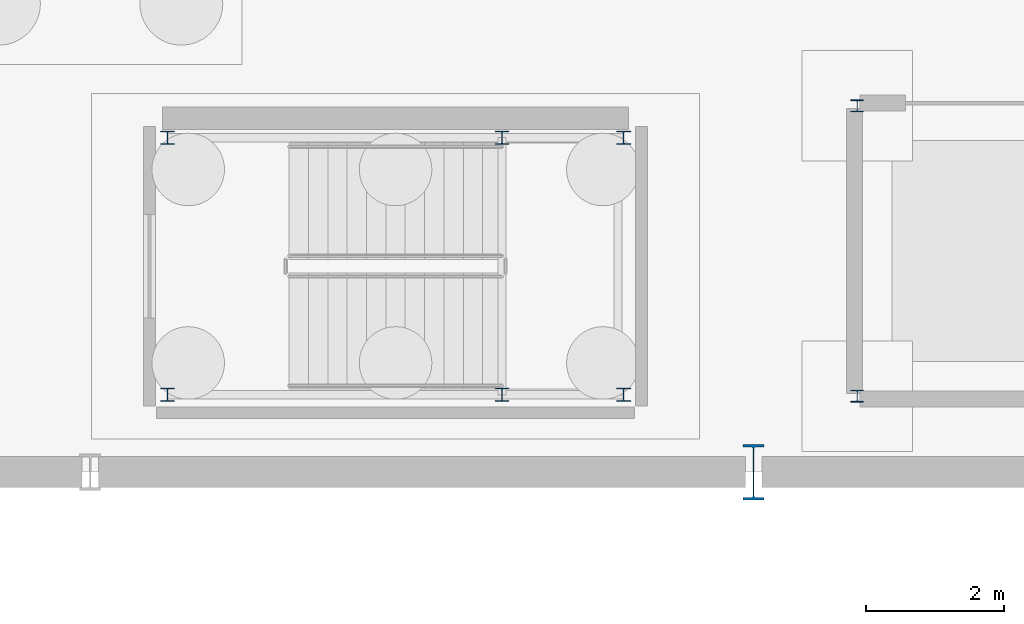
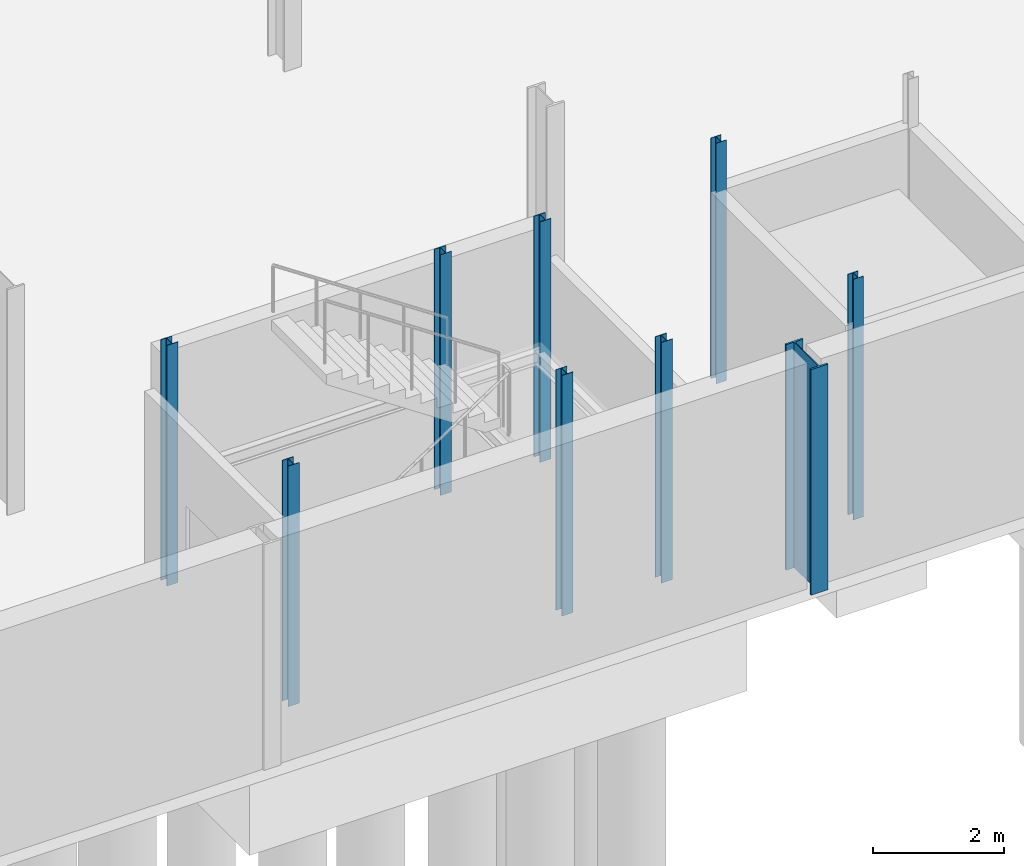
# One storey, part 26 of 47: 9 columns.
"""IFC4 building model written with IfcOpenShell, lengths in metres."""

from ifc_helpers import new_model, si_unit, direction, frame, origin, origin_2d, place, context, subcontext, project, spatial, i_section, extrude, material, material_profile, profile_set, type_object, element, save


model = new_model("IFC4")

# Units and contexts
model_context = context("Model", 3, precision=1e-05, world=origin(), true_north=direction((0.0, 1.0)))
body_context = subcontext(model_context, "Body", "Model", "MODEL_VIEW")
ifc_project = project(units=[si_unit("LENGTHUNIT", "METRE"), si_unit("AREAUNIT", "SQUARE_METRE"), si_unit("VOLUMEUNIT", "CUBIC_METRE"), si_unit("PLANEANGLEUNIT", "RADIAN"), si_unit("MASSUNIT", "GRAM", prefix="KILO")], contexts=[model_context])

# Site, building, storey
site_placement = place(None, origin())
site = spatial("IfcSite", under=ifc_project, at=site_placement, CompositionType="ELEMENT")
building_placement = place(site_placement, origin())
building = spatial("IfcBuilding", under=site, at=building_placement, Name="Alderhovde Museum", CompositionType="ELEMENT")
storey_placement = place(building_placement, frame((0.0, 0.0, -4.5)))
storey = spatial("IfcBuildingStorey", under=building, at=storey_placement, Name="B1", CompositionType="ELEMENT", Elevation=-4.5)

# Columns
ifc_material_1 = material(Name="Steel S355J2", Category="steel")
ifc_material_profile_1 = material_profile(ifc_material_1, i_section(OverallWidth=0.179931640625, OverallDepth=0.1708984375, WebThickness=0.006103515625, FlangeThickness=0.009521484375, FilletRadius=0.014892578125, at=origin_2d()), Name="HEA 180")
ifc_profile_set_1 = profile_set([ifc_material_profile_1], Name="Steel S355J2")
column_type_1 = type_object("IfcColumnType", Name="COL-HEA180", PredefinedType="COLUMN", material=ifc_profile_set_1)
for number, where, z_axis, x_axis, name in (
    (1, (135.89990234375, 73.10009765625, 0.0), (0.0, 0.0, 1.0), (1.0, 0.0, 0.0), "B1 Lift GL-01 Shaft Column 1"),
    (2, (135.89990234375, 77.300048828125, 0.0), (0.0, 0.0, 1.0), (1.0, 0.0, 0.0), "B1 Lift GL-01 Shaft Column 4"),
):
    element("IfcColumn", number, at=place(storey_placement, frame(where, z_axis=z_axis, x_axis=x_axis)), inside=storey, type_object=column_type_1, Name=name, PredefinedType="COLUMN", context=body_context, shape_type="SweptSolid", body=[
        extrude(i_section(OverallWidth=0.179931640625, OverallDepth=0.1708984375, WebThickness=0.006103515625, FlangeThickness=0.009521484375, FilletRadius=0.014892578125, at=origin_2d()), origin(), (0.0, 0.0, 1.0), 4.5),
    ])
ifc_material_2 = material(Name="Steel S355J2", Category="steel")
ifc_material_profile_2 = material_profile(ifc_material_2, i_section(OverallWidth=0.199951171875, OverallDepth=0.18994140625, WebThickness=0.006591796875, FlangeThickness=0.010009765625, FilletRadius=0.01806640625, at=origin_2d()), Name="HEA 200")
ifc_profile_set_2 = profile_set([ifc_material_profile_2], Name="Steel S355J2")
column_type_2 = type_object("IfcColumnType", Name="COL-HEA200", PredefinedType="COLUMN", material=ifc_profile_set_2)
for number, where, z_axis, x_axis, name in (
    (3, (125.919921875, 73.1201171875, 0.0), (0.0, 0.0, 1.0), (1.0, 0.0, 0.0), "B1 Stair ST4 Shaft Column 1"),
    (4, (132.52001953125, 73.1201171875, 0.0), (0.0, 0.0, 1.0), (1.0, 0.0, 0.0), "B1 Stair ST4 Shaft Column 2"),
    (5, (132.52001953125, 76.840087890625, 0.0), (0.0, 0.0, 1.0), (1.0, 0.0, 0.0), "B1 Stair ST4 Shaft Column 3"),
    (6, (125.919921875, 76.840087890625, 0.0), (0.0, 0.0, 1.0), (1.0, 0.0, 0.0), "B1 Stair ST4 Shaft Column 4"),
    (7, (130.760009765625, 73.1201171875, 0.0), (0.0, 0.0, 1.0), (1.0, 0.0, 0.0), "B1 Stair ST4 Shaft Column 5"),
    (8, (130.760009765625, 76.840087890625, 0.0), (0.0, 0.0, 1.0), (1.0, 0.0, 0.0), "B1 Stair ST4 Shaft Column 6"),
):
    element("IfcColumn", number, at=place(storey_placement, frame(where, z_axis=z_axis, x_axis=x_axis)), inside=storey, type_object=column_type_2, Name=name, PredefinedType="COLUMN", context=body_context, shape_type="SweptSolid", body=[
        extrude(i_section(OverallWidth=0.199951171875, OverallDepth=0.18994140625, WebThickness=0.006591796875, FlangeThickness=0.010009765625, FilletRadius=0.01806640625, at=origin_2d()), origin(), (0.0, 0.0, 1.0), 4.5),
    ])
ifc_material_3 = material(Name="Steel S355J2", Category="steel")
ifc_material_profile_3 = material_profile(ifc_material_3, i_section(OverallWidth=0.300048828125, OverallDepth=0.800048828125, WebThickness=0.017578125, FlangeThickness=0.032958984375, FilletRadius=0.030029296875, at=origin_2d()), Name="HEB 800")
ifc_profile_set_3 = profile_set([ifc_material_profile_3], Name="Steel S355J2")
column_type_3 = type_object("IfcColumnType", Name="COL-HEB800", PredefinedType="COLUMN", material=ifc_profile_set_3)
column_placement = place(storey_placement, frame((134.39990234375, 72.0, 0.0), z_axis=(0.0, 0.0, 1.0), x_axis=(1.0, 0.0, 0.0)))
element("IfcColumn", 9, at=column_placement, inside=storey, type_object=column_type_3, Name="B1 Column (134.4, 72.0)", PredefinedType="COLUMN", context=body_context, shape_type="SweptSolid", body=[
    extrude(i_section(OverallWidth=0.300048828125, OverallDepth=0.800048828125, WebThickness=0.017578125, FlangeThickness=0.032958984375, FilletRadius=0.030029296875, at=origin_2d()), origin(), (0.0, 0.0, 1.0), 4.219970703125),
])

save(model, "model.ifc")
